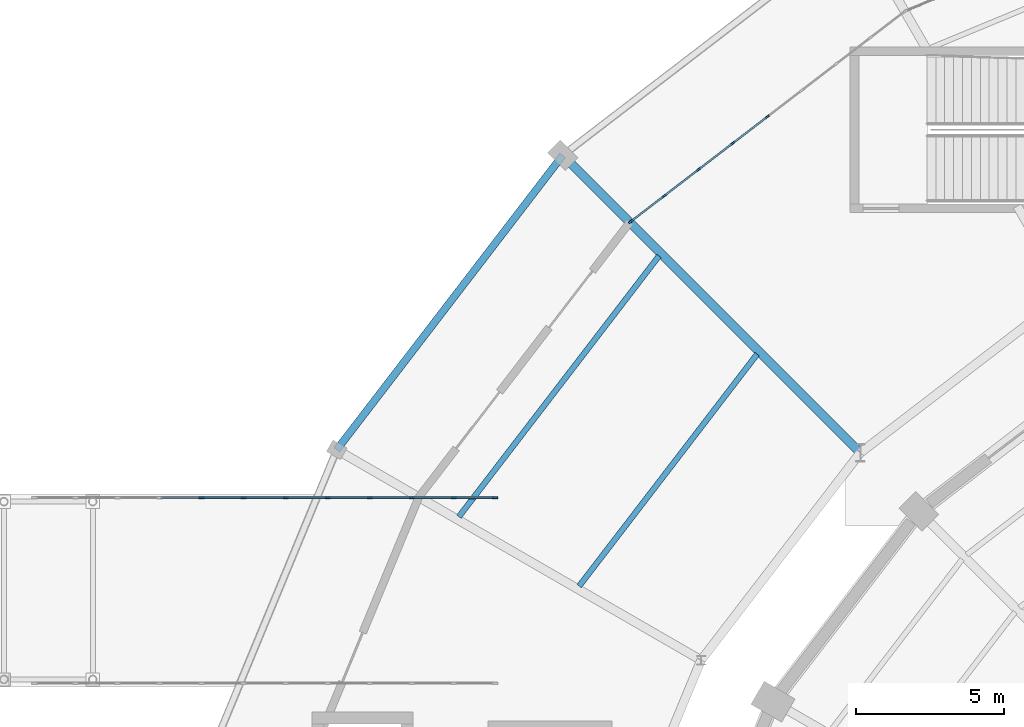
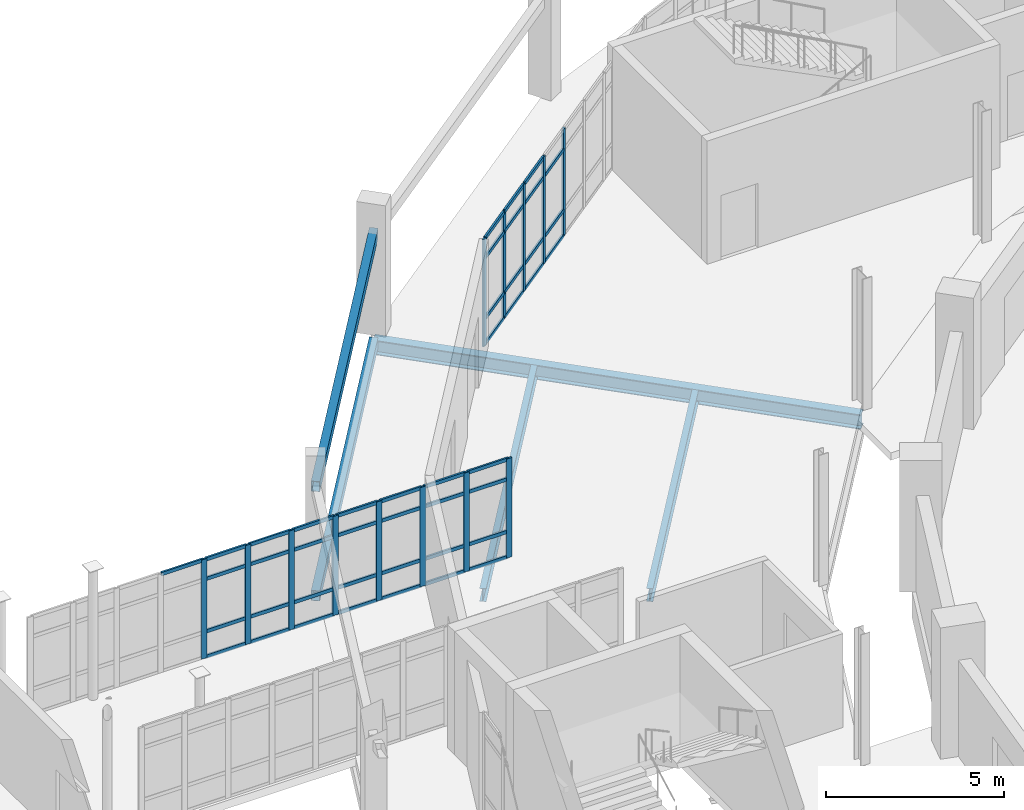
# One storey, part 52 of 122: 57 members, 5 beams, 2 elements without a shape of their own.
"""IFC4 building model written with IfcOpenShell, lengths in metres."""

import ifcopenshell
import ifcopenshell.guid

model = None  # the IFC model being written
_history = None  # IfcOwnerHistory: only IFC2X3 demands one
_inside = {}  # id of a spatial element -> (the spatial element, [elements in it])
_under = {}  # id of a project, library or spatial element -> (it, [spatial elements below it])
_declared = {}  # id of a project -> (the project, [libraries it declares])
_typed = {}  # id of a type object -> (the type object, [elements of that type])
_made_of = {}  # id of a material, layer set ... -> (it, [elements and type objects made of it])


def new_model(schema):
    """Start an empty IFC model of exactly this schema.

    Asked for "IFC4X3", IfcOpenShell would pick the latest addendum, in which some entities
    have other attributes; the version numbers below select the first issue.
    IFC2X3 requires an IfcOwnerHistory on every rooted entity: one is made here for all.
    """
    global model, _history
    if schema == "IFC4X3":
        model = ifcopenshell.file(schema_version=(4, 3, 0, 0))
    else:
        model = ifcopenshell.file(schema=schema)
    _inside.clear()
    _under.clear()
    _declared.clear()
    _typed.clear()
    _made_of.clear()
    _history = None
    if model.schema == "IFC2X3":
        org = make("IfcOrganization", Name="unknown")
        user = make(
            "IfcPersonAndOrganization",
            ThePerson=make("IfcPerson", FamilyName="unknown"),
            TheOrganization=org,
        )
        app = make(
            "IfcApplication",
            ApplicationDeveloper=org,
            Version="unknown",
            ApplicationFullName="unknown",
            ApplicationIdentifier="unknown",
        )
        _history = make(
            "IfcOwnerHistory",
            OwningUser=user,
            OwningApplication=app,
            ChangeAction="ADDED",
            CreationDate=0,
        )
    return model


def make(cls, **values):
    """One entity of the class cls with the attributes given. An attribute that is None is left unset."""
    return model.create_entity(
        cls, **{name: value for name, value in values.items() if value is not None}
    )


def rooted(cls, **values):
    """An entity with a GlobalId (a new one), such as an element, a storey or a relation."""
    return make(cls, GlobalId=ifcopenshell.guid.new(), OwnerHistory=_history, **values)


def si_unit(unit_type, name, prefix=None):
    """IfcSIUnit, for example si_unit("LENGTHUNIT", "METRE", prefix="MILLI")."""
    return make("IfcSIUnit", UnitType=unit_type, Prefix=prefix, Name=name)


def assignment(units):
    """IfcUnitAssignment: the units of a project."""
    return None if units is None else make("IfcUnitAssignment", Units=units)


def point(xyz):
    """IfcCartesianPoint."""
    return None if xyz is None else make("IfcCartesianPoint", Coordinates=xyz)


def direction(xyz):
    """IfcDirection."""
    return None if xyz is None else make("IfcDirection", DirectionRatios=xyz)


def frame(location, z_axis=None, x_axis=None):
    """IfcAxis2Placement3D, a coordinate frame: its origin and axes. An axis left out is left unset."""
    return make(
        "IfcAxis2Placement3D",
        Location=point(location),
        Axis=direction(z_axis),
        RefDirection=direction(x_axis),
    )


def frame_2d(location, x_axis=None):
    """IfcAxis2Placement2D, a coordinate frame in the plane: its origin and x axis."""
    return make(
        "IfcAxis2Placement2D", Location=point(location), RefDirection=direction(x_axis)
    )


def origin():
    """The frame at (0, 0, 0) with its axes left unset."""
    return frame((0.0, 0.0, 0.0))


def origin_2d():
    """The frame at (0, 0) in the plane with its x axis left unset."""
    return frame_2d((0.0, 0.0))


def place(relative_to, where):
    """IfcLocalPlacement: puts the frame where relative to a parent placement (None: the world)."""
    return make(
        "IfcLocalPlacement", PlacementRelTo=relative_to, RelativePlacement=where
    )


def context(
    kind, dimensions, precision=None, world=None, true_north=None, identifier=None
):
    """IfcGeometricRepresentationContext, for example the 3D "Model" context."""
    return make(
        "IfcGeometricRepresentationContext",
        ContextIdentifier=identifier,
        ContextType=kind,
        CoordinateSpaceDimension=dimensions,
        Precision=precision,
        WorldCoordinateSystem=world,
        TrueNorth=true_north,
    )


def subcontext(parent, identifier, kind, view, scale=None):
    """IfcGeometricRepresentationSubContext, for example "Body" below "Model"."""
    return make(
        "IfcGeometricRepresentationSubContext",
        ContextIdentifier=identifier,
        ContextType=kind,
        ParentContext=parent,
        TargetScale=scale,
        TargetView=view,
    )


def project(units=None, contexts=None):
    """IfcProject with its units and contexts."""
    return rooted(
        "IfcProject",
        Name="project",
        RepresentationContexts=contexts,
        UnitsInContext=assignment(units),
    )


def spatial(cls, under=None, at=None, **own):
    """A site, building, storey or space (cls), placed at a placement, below another one or the project."""
    s = rooted(cls, ObjectPlacement=at, **own)
    if under is not None:
        _under.setdefault(under.id(), (under, []))[1].append(s)
    return s


def profile(cls, at=None, kind="AREA", **sizes):
    """A parametric profile (cls). Its sizes go by their IFC names, for example OverallWidth=200.0."""
    return make(cls, ProfileType=kind, Position=at, **sizes)


def rectangle(**sizes):
    """IfcRectangleProfileDef."""
    return profile("IfcRectangleProfileDef", **sizes)


def hollow_rectangle(**sizes):
    """IfcRectangleHollowProfileDef."""
    return profile("IfcRectangleHollowProfileDef", **sizes)


def i_section(**sizes):
    """IfcIShapeProfileDef."""
    return profile("IfcIShapeProfileDef", **sizes)


def extrude(swept, where, along, depth):
    """IfcExtrudedAreaSolid: the profile swept, set in the frame where, extruded along a direction by depth."""
    return make(
        "IfcExtrudedAreaSolid",
        SweptArea=swept,
        Position=where,
        ExtrudedDirection=direction(along),
        Depth=depth,
    )


def shape(context_of_items, identifier, shape_type, items):
    """IfcShapeRepresentation: the items that make up one representation, for example the "Body"."""
    return make(
        "IfcShapeRepresentation",
        ContextOfItems=context_of_items,
        RepresentationIdentifier=identifier,
        RepresentationType=shape_type,
        Items=items,
    )


def material(Name=None, Category=None):
    """IfcMaterial."""
    return make("IfcMaterial", Name=Name, Category=Category)


def layer(
    of_material, thickness, ventilated=None, Name=None, Category=None, Priority=None
):
    """IfcMaterialLayer: one layer of a wall or slab, of a material (None: an air gap)."""
    return make(
        "IfcMaterialLayer",
        Material=of_material,
        LayerThickness=thickness,
        IsVentilated=ventilated,
        Name=Name,
        Category=Category,
        Priority=Priority,
    )


def layer_set(layers, Name=None):
    """IfcMaterialLayerSet."""
    return make("IfcMaterialLayerSet", MaterialLayers=layers, LayerSetName=Name)


def material_profile(
    of_material, cross_section, Name=None, Category=None, Priority=None
):
    """IfcMaterialProfile: a cross section and its material."""
    return make(
        "IfcMaterialProfile",
        Name=Name,
        Material=of_material,
        Profile=cross_section,
        Priority=Priority,
        Category=Category,
    )


def profile_set(profiles, Name=None, composite=None):
    """IfcMaterialProfileSet."""
    return make(
        "IfcMaterialProfileSet",
        Name=Name,
        MaterialProfiles=profiles,
        CompositeProfile=composite,
    )


def made_of(thing, what):
    """Note that an element or type object is made of a material, layer set ...; save() writes the relation."""
    if what is not None:
        _made_of.setdefault(what.id(), (what, []))[1].append(thing)
    return thing


def type_object(cls, material=None, **own):
    """A type object (cls), such as IfcWallType, which elements share."""
    return made_of(rooted(cls, **own), material)


def element(
    cls,
    number,
    at=None,
    inside=None,
    cuts=None,
    type_object=None,
    material=None,
    context=None,
    identifier="Body",
    shape_type=None,
    held_by="IfcProductDefinitionShape",
    body=None,
    shapes=None,
    **own,
):
    """One element of the class cls, such as IfcWall. Its Tag is "e" and its number.

    at: its placement. inside: the storey or other place that contains it. cuts: it is an
    opening in that element (IfcRelVoidsElement). A single representation is given by context,
    identifier, shape_type and body (its items); several are given by shapes. held_by: the class
    of the entity that holds the representations. save() writes the other relations.
    """
    e = rooted(cls, Tag="e%d" % number, ObjectPlacement=at, **own)
    if body is not None:
        shapes = [shape(context, identifier, shape_type, body)]
    if shapes is not None:
        e.Representation = make(held_by, Representations=shapes)
    if inside is not None:
        _inside.setdefault(inside.id(), (inside, []))[1].append(e)
    if cuts is not None:
        rooted(
            "IfcRelVoidsElement", RelatingBuildingElement=cuts, RelatedOpeningElement=e
        )
    if type_object is not None:
        _typed.setdefault(type_object.id(), (type_object, []))[1].append(e)
    return made_of(e, material)


def aggregate(whole, parts):
    """IfcRelAggregates: a whole, such as a stair, and the parts it consists of."""
    return rooted("IfcRelAggregates", RelatingObject=whole, RelatedObjects=parts)


def save(model, path):
    """Write the relations noted so far, then the file.

    IfcRelAggregates (storeys below a building ...), IfcRelContainedInSpatialStructure (elements
    in a storey), IfcRelDefinesByType, IfcRelAssociatesMaterial and IfcRelDeclares: one each for
    every whole, place, type object, material and project.
    """
    for whole, parts in _under.values():
        aggregate(whole, parts)
    for where, things in _inside.values():
        rooted(
            "IfcRelContainedInSpatialStructure",
            RelatedElements=things,
            RelatingStructure=where,
        )
    for kind, things in _typed.values():
        rooted("IfcRelDefinesByType", RelatedObjects=things, RelatingType=kind)
    for what, things in _made_of.values():
        rooted("IfcRelAssociatesMaterial", RelatedObjects=things, RelatingMaterial=what)
    for by, libraries in _declared.values():
        rooted("IfcRelDeclares", RelatingContext=by, RelatedDefinitions=libraries)
    model.write(path)


model = new_model("IFC4")

# Units and contexts
model_context = context("Model", 3, precision=1e-05, world=origin(), true_north=direction((0.0, 1.0)))
body_context = subcontext(model_context, "Body", "Model", "MODEL_VIEW")
ifc_project = project(units=[si_unit("LENGTHUNIT", "METRE"), si_unit("AREAUNIT", "SQUARE_METRE"), si_unit("VOLUMEUNIT", "CUBIC_METRE"), si_unit("PLANEANGLEUNIT", "RADIAN"), si_unit("MASSUNIT", "GRAM", prefix="KILO")], contexts=[model_context])

# Site, building, storey
site_placement = place(None, origin())
site = spatial("IfcSite", under=ifc_project, at=site_placement, CompositionType="ELEMENT")
building_placement = place(site_placement, origin())
building = spatial("IfcBuilding", under=site, at=building_placement, Name="Sohan Crest Arena", CompositionType="ELEMENT")
storey_placement = place(building_placement, origin())
storey = spatial("IfcBuildingStorey", under=building, at=storey_placement, Name="L00", CompositionType="ELEMENT", Elevation=0.0)

# Curtain wall, members
ifc_material_1 = material(Name="Thermally broken anodised aluminium", Category="aluminium")
ifc_layer_1 = layer(ifc_material_1, 0.179931640625, Name="Thermally broken anodised aluminium")
ifc_layer_set_1 = layer_set([ifc_layer_1], Name="Thermally broken anodised aluminium")
curtain_wall_type_1 = type_object("IfcCurtainWallType", Name="ARC-CW01", PredefinedType="NOTDEFINED", material=ifc_layer_set_1)
curtain_wall_1_placement = place(storey_placement, origin())
curtain_wall_1 = element("IfcCurtainWall", 1, at=curtain_wall_1_placement, inside=storey, type_object=curtain_wall_type_1, Name="Unitised curtain wall CW-003", PredefinedType="NOTDEFINED")
ifc_material_profile_1 = material_profile(ifc_material_1, rectangle(XDim=0.06005859375, YDim=0.159912109375, at=origin_2d()), Name="ALU-MULL 60x160")
ifc_profile_set_1 = profile_set([ifc_material_profile_1], Name="Thermally broken anodised aluminium")
member_type_1 = type_object("IfcMemberType", Name="ARC-CW-ML01", PredefinedType="MULLION", material=ifc_profile_set_1)
member_1_placement = place(storey_placement, frame((70.9609375, 113.238037109375, 0.0), z_axis=(0.0, 0.0, 1.0), x_axis=(0.608801264741, -0.79332277167, 0.0)))
member_1 = element("IfcMember", 2, at=member_1_placement, type_object=member_type_1, Name="CW-003 mullion 5", PredefinedType="MULLION", context=body_context, shape_type="SweptSolid", body=[
    extrude(rectangle(XDim=0.06005859375, YDim=0.159912109375, at=origin_2d()), origin(), (0.0, 0.0, 1.0), 3.679931640625),
])
member_2_placement = place(storey_placement, frame((69.80126953125, 112.347900390625, 0.0), z_axis=(0.0, 0.0, 1.0), x_axis=(0.608801264741, -0.79332277167, 0.0)))
member_2 = element("IfcMember", 3, at=member_2_placement, type_object=member_type_1, Name="CW-003 mullion 6", PredefinedType="MULLION", context=body_context, shape_type="SweptSolid", body=[
    extrude(rectangle(XDim=0.06005859375, YDim=0.159912109375, at=origin_2d()), origin(), (0.0, 0.0, 1.0), 3.679931640625),
])
member_3_placement = place(storey_placement, frame((68.6416015625, 111.4580078125, 0.0), z_axis=(0.0, 0.0, 1.0), x_axis=(0.608801264741, -0.79332277167, 0.0)))
member_3 = element("IfcMember", 4, at=member_3_placement, type_object=member_type_1, Name="CW-003 mullion 7", PredefinedType="MULLION", context=body_context, shape_type="SweptSolid", body=[
    extrude(rectangle(XDim=0.06005859375, YDim=0.159912109375, at=origin_2d()), origin(), (0.0, 0.0, 1.0), 3.679931640625),
])
member_4_placement = place(storey_placement, frame((67.481689453125, 110.568115234375, 0.0), z_axis=(0.0, 0.0, 1.0), x_axis=(0.608801264741, -0.79332277167, 0.0)))
member_4 = element("IfcMember", 5, at=member_4_placement, type_object=member_type_1, Name="CW-003 mullion 8", PredefinedType="MULLION", context=body_context, shape_type="SweptSolid", body=[
    extrude(rectangle(XDim=0.06005859375, YDim=0.159912109375, at=origin_2d()), origin(), (0.0, 0.0, 1.0), 3.679931640625),
])
member_5_placement = place(storey_placement, frame((66.345703125, 109.6962890625, 0.0), z_axis=(0.0, 0.0, 1.0), x_axis=(0.608801264741, -0.79332277167, 0.0)))
member_5 = element("IfcMember", 6, at=member_5_placement, type_object=member_type_1, Name="CW-003 mullion 9", PredefinedType="MULLION", context=body_context, shape_type="SweptSolid", body=[
    extrude(rectangle(XDim=0.06005859375, YDim=0.159912109375, at=origin_2d()), origin(), (0.0, 0.0, 1.0), 3.679931640625),
])

ifc_layer_2 = layer(ifc_material_1, 0.18994140625, Name="Thermally broken anodised aluminium")
ifc_layer_set_2 = layer_set([ifc_layer_2], Name="Thermally broken anodised aluminium")
curtain_wall_type_2 = type_object("IfcCurtainWallType", Name="ARC-CW05", PredefinedType="NOTDEFINED", material=ifc_layer_set_2)
curtain_wall_2_placement = place(storey_placement, origin())
curtain_wall_2 = element("IfcCurtainWall", 7, at=curtain_wall_2_placement, inside=storey, type_object=curtain_wall_type_2, Name="Unitised curtain wall CW-232", PredefinedType="NOTDEFINED")
ifc_material_profile_2 = material_profile(ifc_material_1, rectangle(XDim=0.06494140625, YDim=0.179931640625, at=origin_2d()), Name="ALU-MULL 65x180")
ifc_profile_set_2 = profile_set([ifc_material_profile_2], Name="Thermally broken anodised aluminium")
member_type_2 = type_object("IfcMemberType", Name="ARC-CW-ML02", PredefinedType="MULLION", material=ifc_profile_set_2)
member_6_placement = place(storey_placement, frame((51.872802734375, 100.3798828125, 0.0), z_axis=(0.0, 0.0, 1.0), x_axis=(0.0, 1.0, 0.0)))
member_6 = element("IfcMember", 8, at=member_6_placement, type_object=member_type_2, Name="CW-232 mullion 5", PredefinedType="MULLION", context=body_context, shape_type="SweptSolid", body=[
    extrude(rectangle(XDim=0.06494140625, YDim=0.179931640625, at=origin_2d()), origin(), (0.0, 0.0, 1.0), 3.39990234375),
])
member_7_placement = place(storey_placement, frame((53.291015625, 100.3798828125, 0.0), z_axis=(0.0, 0.0, 1.0), x_axis=(0.0, 1.0, 0.0)))
member_7 = element("IfcMember", 9, at=member_7_placement, type_object=member_type_2, Name="CW-232 mullion 6", PredefinedType="MULLION", context=body_context, shape_type="SweptSolid", body=[
    extrude(rectangle(XDim=0.06494140625, YDim=0.179931640625, at=origin_2d()), origin(), (0.0, 0.0, 1.0), 3.39990234375),
])
member_8_placement = place(storey_placement, frame((54.708984375, 100.3798828125, 0.0), z_axis=(0.0, 0.0, 1.0), x_axis=(0.0, 1.0, 0.0)))
member_8 = element("IfcMember", 10, at=member_8_placement, type_object=member_type_2, Name="CW-232 mullion 7", PredefinedType="MULLION", context=body_context, shape_type="SweptSolid", body=[
    extrude(rectangle(XDim=0.06494140625, YDim=0.179931640625, at=origin_2d()), origin(), (0.0, 0.0, 1.0), 3.39990234375),
])
member_9_placement = place(storey_placement, frame((56.127197265625, 100.3798828125, 0.0), z_axis=(0.0, 0.0, 1.0), x_axis=(0.0, 1.0, 0.0)))
member_9 = element("IfcMember", 11, at=member_9_placement, type_object=member_type_2, Name="CW-232 mullion 8", PredefinedType="MULLION", context=body_context, shape_type="SweptSolid", body=[
    extrude(rectangle(XDim=0.06494140625, YDim=0.179931640625, at=origin_2d()), origin(), (0.0, 0.0, 1.0), 3.39990234375),
])
member_10_placement = place(storey_placement, frame((57.54541015625, 100.3798828125, 0.0), z_axis=(0.0, 0.0, 1.0), x_axis=(0.0, 1.0, 0.0)))
member_10 = element("IfcMember", 12, at=member_10_placement, type_object=member_type_2, Name="CW-232 mullion 9", PredefinedType="MULLION", context=body_context, shape_type="SweptSolid", body=[
    extrude(rectangle(XDim=0.06494140625, YDim=0.179931640625, at=origin_2d()), origin(), (0.0, 0.0, 1.0), 3.39990234375),
])
member_11_placement = place(storey_placement, frame((58.963623046875, 100.3798828125, 0.0), z_axis=(0.0, 0.0, 1.0), x_axis=(0.0, 1.0, 0.0)))
member_11 = element("IfcMember", 13, at=member_11_placement, type_object=member_type_2, Name="CW-232 mullion 10", PredefinedType="MULLION", context=body_context, shape_type="SweptSolid", body=[
    extrude(rectangle(XDim=0.06494140625, YDim=0.179931640625, at=origin_2d()), origin(), (0.0, 0.0, 1.0), 3.39990234375),
])
member_12_placement = place(storey_placement, frame((60.3818359375, 100.3798828125, 0.0), z_axis=(0.0, 0.0, 1.0), x_axis=(0.0, 1.0, 0.0)))
member_12 = element("IfcMember", 14, at=member_12_placement, type_object=member_type_2, Name="CW-232 mullion 11", PredefinedType="MULLION", context=body_context, shape_type="SweptSolid", body=[
    extrude(rectangle(XDim=0.06494140625, YDim=0.179931640625, at=origin_2d()), origin(), (0.0, 0.0, 1.0), 3.39990234375),
])
member_13_placement = place(storey_placement, frame((61.767578125, 100.3798828125, 0.0), z_axis=(0.0, 0.0, 1.0), x_axis=(0.0, 1.0, 0.0)))
member_13 = element("IfcMember", 15, at=member_13_placement, type_object=member_type_2, Name="CW-232 mullion 12", PredefinedType="MULLION", context=body_context, shape_type="SweptSolid", body=[
    extrude(rectangle(XDim=0.06494140625, YDim=0.179931640625, at=origin_2d()), origin(), (0.0, 0.0, 1.0), 3.39990234375),
])

# Member
ifc_material_profile_3 = material_profile(ifc_material_1, rectangle(XDim=0.06005859375, YDim=0.1201171875, at=origin_2d()), Name="ALU-TRAN 60x120")
ifc_profile_set_3 = profile_set([ifc_material_profile_3], Name="Thermally broken anodised aluminium")
member_type_3 = type_object("IfcMemberType", Name="ARC-CW-TR01", PredefinedType="USERDEFINED", material=ifc_profile_set_3)
member_14_placement = place(storey_placement, frame((70.937255859375, 113.2197265625, 0.030029296875), z_axis=(-0.793348442071, -0.608767812441, 0.0), x_axis=(0.608767812441, -0.793348442071, 0.0)))
member_14 = element("IfcMember", 16, at=member_14_placement, type_object=member_type_3, Name="CW-003 transom 5.1", ObjectType="TRANSOM", PredefinedType="USERDEFINED", context=body_context, shape_type="SweptSolid", body=[
    extrude(rectangle(XDim=0.06005859375, YDim=0.1201171875, at=origin_2d()), origin(), (0.0, 0.0, 1.0), 1.402099609375),
])

member_15_placement = place(storey_placement, frame((70.937255859375, 113.2197265625, 0.89990234375), z_axis=(-0.793348442071, -0.608767812441, 0.0), x_axis=(0.608767812441, -0.793348442071, 0.0)))
member_15 = element("IfcMember", 17, at=member_15_placement, type_object=member_type_3, Name="CW-003 transom 5.2", ObjectType="TRANSOM", PredefinedType="USERDEFINED", context=body_context, shape_type="SweptSolid", body=[
    extrude(rectangle(XDim=0.06005859375, YDim=0.1201171875, at=origin_2d()), origin(), (0.0, 0.0, 1.0), 1.402099609375),
])

member_16_placement = place(storey_placement, frame((70.937255859375, 113.2197265625, 2.97998046875), z_axis=(-0.793348442071, -0.608767812441, 0.0), x_axis=(0.608767812441, -0.793348442071, 0.0)))
member_16 = element("IfcMember", 18, at=member_16_placement, type_object=member_type_3, Name="CW-003 transom 5.3", ObjectType="TRANSOM", PredefinedType="USERDEFINED", context=body_context, shape_type="SweptSolid", body=[
    extrude(rectangle(XDim=0.06005859375, YDim=0.1201171875, at=origin_2d()), origin(), (0.0, 0.0, 1.0), 1.402099609375),
])

member_17_placement = place(storey_placement, frame((69.77734375, 112.329833984375, 0.030029296875), z_axis=(-0.793283895434, -0.608851920623, 0.0), x_axis=(0.608851920623, -0.793283895434, 0.0)))
member_17 = element("IfcMember", 19, at=member_17_placement, type_object=member_type_3, Name="CW-003 transom 6.1", ObjectType="TRANSOM", PredefinedType="USERDEFINED", context=body_context, shape_type="SweptSolid", body=[
    extrude(rectangle(XDim=0.06005859375, YDim=0.1201171875, at=origin_2d()), origin(), (0.0, 0.0, 1.0), 1.40185546875),
])

member_18_placement = place(storey_placement, frame((69.77734375, 112.329833984375, 0.89990234375), z_axis=(-0.793283895434, -0.608851920623, 0.0), x_axis=(0.608851920623, -0.793283895434, 0.0)))
member_18 = element("IfcMember", 20, at=member_18_placement, type_object=member_type_3, Name="CW-003 transom 6.2", ObjectType="TRANSOM", PredefinedType="USERDEFINED", context=body_context, shape_type="SweptSolid", body=[
    extrude(rectangle(XDim=0.06005859375, YDim=0.1201171875, at=origin_2d()), origin(), (0.0, 0.0, 1.0), 1.40185546875),
])

member_19_placement = place(storey_placement, frame((69.77734375, 112.329833984375, 2.97998046875), z_axis=(-0.793283895434, -0.608851920623, 0.0), x_axis=(0.608851920623, -0.793283895434, 0.0)))
member_19 = element("IfcMember", 21, at=member_19_placement, type_object=member_type_3, Name="CW-003 transom 6.3", ObjectType="TRANSOM", PredefinedType="USERDEFINED", context=body_context, shape_type="SweptSolid", body=[
    extrude(rectangle(XDim=0.06005859375, YDim=0.1201171875, at=origin_2d()), origin(), (0.0, 0.0, 1.0), 1.40185546875),
])

member_20_placement = place(storey_placement, frame((69.77734375, 112.329833984375, 3.64990234375), z_axis=(-0.793283895434, -0.608851920623, 0.0), x_axis=(0.608851920623, -0.793283895434, 0.0)))
member_20 = element("IfcMember", 22, at=member_20_placement, type_object=member_type_3, Name="CW-003 transom 6.4", ObjectType="TRANSOM", PredefinedType="USERDEFINED", context=body_context, shape_type="SweptSolid", body=[
    extrude(rectangle(XDim=0.06005859375, YDim=0.1201171875, at=origin_2d()), origin(), (0.0, 0.0, 1.0), 1.40185546875),
])

member_21_placement = place(storey_placement, frame((68.61767578125, 111.439697265625, 0.030029296875), z_axis=(-0.793283895434, -0.608851920623, 0.0), x_axis=(0.608851920623, -0.793283895434, 0.0)))
member_21 = element("IfcMember", 23, at=member_21_placement, type_object=member_type_3, Name="CW-003 transom 7.1", ObjectType="TRANSOM", PredefinedType="USERDEFINED", context=body_context, shape_type="SweptSolid", body=[
    extrude(rectangle(XDim=0.06005859375, YDim=0.1201171875, at=origin_2d()), origin(), (0.0, 0.0, 1.0), 1.40185546875),
])

member_22_placement = place(storey_placement, frame((68.61767578125, 111.439697265625, 0.89990234375), z_axis=(-0.793283895434, -0.608851920623, 0.0), x_axis=(0.608851920623, -0.793283895434, 0.0)))
member_22 = element("IfcMember", 24, at=member_22_placement, type_object=member_type_3, Name="CW-003 transom 7.2", ObjectType="TRANSOM", PredefinedType="USERDEFINED", context=body_context, shape_type="SweptSolid", body=[
    extrude(rectangle(XDim=0.06005859375, YDim=0.1201171875, at=origin_2d()), origin(), (0.0, 0.0, 1.0), 1.40185546875),
])

member_23_placement = place(storey_placement, frame((68.61767578125, 111.439697265625, 2.97998046875), z_axis=(-0.793283895434, -0.608851920623, 0.0), x_axis=(0.608851920623, -0.793283895434, 0.0)))
member_23 = element("IfcMember", 25, at=member_23_placement, type_object=member_type_3, Name="CW-003 transom 7.3", ObjectType="TRANSOM", PredefinedType="USERDEFINED", context=body_context, shape_type="SweptSolid", body=[
    extrude(rectangle(XDim=0.06005859375, YDim=0.1201171875, at=origin_2d()), origin(), (0.0, 0.0, 1.0), 1.40185546875),
])

member_24_placement = place(storey_placement, frame((68.61767578125, 111.439697265625, 3.64990234375), z_axis=(-0.793283895434, -0.608851920623, 0.0), x_axis=(0.608851920623, -0.793283895434, 0.0)))
member_24 = element("IfcMember", 26, at=member_24_placement, type_object=member_type_3, Name="CW-003 transom 7.4", ObjectType="TRANSOM", PredefinedType="USERDEFINED", context=body_context, shape_type="SweptSolid", body=[
    extrude(rectangle(XDim=0.06005859375, YDim=0.1201171875, at=origin_2d()), origin(), (0.0, 0.0, 1.0), 1.40185546875),
])

member_25_placement = place(storey_placement, frame((67.4580078125, 110.5498046875, 0.030029296875), z_axis=(-0.793331312745, -0.608790134791, 0.0), x_axis=(0.608790134791, -0.793331312745, 0.0)))
member_25 = element("IfcMember", 27, at=member_25_placement, type_object=member_type_3, Name="CW-003 transom 8.1", ObjectType="TRANSOM", PredefinedType="USERDEFINED", context=body_context, shape_type="SweptSolid", body=[
    extrude(rectangle(XDim=0.06005859375, YDim=0.1201171875, at=origin_2d()), origin(), (0.0, 0.0, 1.0), 1.371826171875),
])

member_26_placement = place(storey_placement, frame((67.4580078125, 110.5498046875, 0.89990234375), z_axis=(-0.793331312745, -0.608790134791, 0.0), x_axis=(0.608790134791, -0.793331312745, 0.0)))
member_26 = element("IfcMember", 28, at=member_26_placement, type_object=member_type_3, Name="CW-003 transom 8.2", ObjectType="TRANSOM", PredefinedType="USERDEFINED", context=body_context, shape_type="SweptSolid", body=[
    extrude(rectangle(XDim=0.06005859375, YDim=0.1201171875, at=origin_2d()), origin(), (0.0, 0.0, 1.0), 1.371826171875),
])

member_27_placement = place(storey_placement, frame((67.4580078125, 110.5498046875, 2.97998046875), z_axis=(-0.793331312745, -0.608790134791, 0.0), x_axis=(0.608790134791, -0.793331312745, 0.0)))
member_27 = element("IfcMember", 29, at=member_27_placement, type_object=member_type_3, Name="CW-003 transom 8.3", ObjectType="TRANSOM", PredefinedType="USERDEFINED", context=body_context, shape_type="SweptSolid", body=[
    extrude(rectangle(XDim=0.06005859375, YDim=0.1201171875, at=origin_2d()), origin(), (0.0, 0.0, 1.0), 1.371826171875),
])

member_28_placement = place(storey_placement, frame((67.4580078125, 110.5498046875, 3.64990234375), z_axis=(-0.793331312745, -0.608790134791, 0.0), x_axis=(0.608790134791, -0.793331312745, 0.0)))
member_28 = element("IfcMember", 30, at=member_28_placement, type_object=member_type_3, Name="CW-003 transom 8.4", ObjectType="TRANSOM", PredefinedType="USERDEFINED", context=body_context, shape_type="SweptSolid", body=[
    extrude(rectangle(XDim=0.06005859375, YDim=0.1201171875, at=origin_2d()), origin(), (0.0, 0.0, 1.0), 1.371826171875),
])

aggregate(curtain_wall_1, [member_1, member_2, member_3, member_4, member_5, member_14, member_15, member_16, member_17, member_18, member_19, member_20, member_21, member_22, member_23, member_24, member_25, member_26, member_27, member_28])

member_29_placement = place(storey_placement, frame((50.487060546875, 100.3798828125, 3.3701171875), z_axis=(1.0, 0.0, 0.0), x_axis=(0.0, 1.0, 0.0)))
member_29 = element("IfcMember", 31, at=member_29_placement, type_object=member_type_3, Name="CW-232 transom 4.4", ObjectType="TRANSOM", PredefinedType="USERDEFINED", context=body_context, shape_type="SweptSolid", body=[
    extrude(rectangle(XDim=0.06005859375, YDim=0.1201171875, at=origin_2d()), origin(), (0.0, 0.0, 1.0), 1.353271484375),
])

member_30_placement = place(storey_placement, frame((51.9052734375, 100.3798828125, 0.030029296875), z_axis=(1.0, 0.0, 0.0), x_axis=(0.0, 1.0, 0.0)))
member_30 = element("IfcMember", 32, at=member_30_placement, type_object=member_type_3, Name="CW-232 transom 5.1", ObjectType="TRANSOM", PredefinedType="USERDEFINED", context=body_context, shape_type="SweptSolid", body=[
    extrude(rectangle(XDim=0.06005859375, YDim=0.1201171875, at=origin_2d()), origin(), (0.0, 0.0, 1.0), 1.35302734375),
])

member_31_placement = place(storey_placement, frame((51.9052734375, 100.3798828125, 0.89990234375), z_axis=(1.0, 0.0, 0.0), x_axis=(0.0, 1.0, 0.0)))
member_31 = element("IfcMember", 33, at=member_31_placement, type_object=member_type_3, Name="CW-232 transom 5.2", ObjectType="TRANSOM", PredefinedType="USERDEFINED", context=body_context, shape_type="SweptSolid", body=[
    extrude(rectangle(XDim=0.06005859375, YDim=0.1201171875, at=origin_2d()), origin(), (0.0, 0.0, 1.0), 1.35302734375),
])

member_32_placement = place(storey_placement, frame((51.9052734375, 100.3798828125, 2.699951171875), z_axis=(1.0, 0.0, 0.0), x_axis=(0.0, 1.0, 0.0)))
member_32 = element("IfcMember", 34, at=member_32_placement, type_object=member_type_3, Name="CW-232 transom 5.3", ObjectType="TRANSOM", PredefinedType="USERDEFINED", context=body_context, shape_type="SweptSolid", body=[
    extrude(rectangle(XDim=0.06005859375, YDim=0.1201171875, at=origin_2d()), origin(), (0.0, 0.0, 1.0), 1.35302734375),
])

member_33_placement = place(storey_placement, frame((51.9052734375, 100.3798828125, 3.3701171875), z_axis=(1.0, 0.0, 0.0), x_axis=(0.0, 1.0, 0.0)))
member_33 = element("IfcMember", 35, at=member_33_placement, type_object=member_type_3, Name="CW-232 transom 5.4", ObjectType="TRANSOM", PredefinedType="USERDEFINED", context=body_context, shape_type="SweptSolid", body=[
    extrude(rectangle(XDim=0.06005859375, YDim=0.1201171875, at=origin_2d()), origin(), (0.0, 0.0, 1.0), 1.35302734375),
])

member_34_placement = place(storey_placement, frame((53.323486328125, 100.3798828125, 0.030029296875), z_axis=(1.0, 0.0, 0.0), x_axis=(0.0, 1.0, 0.0)))
member_34 = element("IfcMember", 36, at=member_34_placement, type_object=member_type_3, Name="CW-232 transom 6.1", ObjectType="TRANSOM", PredefinedType="USERDEFINED", context=body_context, shape_type="SweptSolid", body=[
    extrude(rectangle(XDim=0.06005859375, YDim=0.1201171875, at=origin_2d()), origin(), (0.0, 0.0, 1.0), 1.35302734375),
])

member_35_placement = place(storey_placement, frame((53.323486328125, 100.3798828125, 0.89990234375), z_axis=(1.0, 0.0, 0.0), x_axis=(0.0, 1.0, 0.0)))
member_35 = element("IfcMember", 37, at=member_35_placement, type_object=member_type_3, Name="CW-232 transom 6.2", ObjectType="TRANSOM", PredefinedType="USERDEFINED", context=body_context, shape_type="SweptSolid", body=[
    extrude(rectangle(XDim=0.06005859375, YDim=0.1201171875, at=origin_2d()), origin(), (0.0, 0.0, 1.0), 1.35302734375),
])

member_36_placement = place(storey_placement, frame((53.323486328125, 100.3798828125, 2.699951171875), z_axis=(1.0, 0.0, 0.0), x_axis=(0.0, 1.0, 0.0)))
member_36 = element("IfcMember", 38, at=member_36_placement, type_object=member_type_3, Name="CW-232 transom 6.3", ObjectType="TRANSOM", PredefinedType="USERDEFINED", context=body_context, shape_type="SweptSolid", body=[
    extrude(rectangle(XDim=0.06005859375, YDim=0.1201171875, at=origin_2d()), origin(), (0.0, 0.0, 1.0), 1.35302734375),
])

member_37_placement = place(storey_placement, frame((53.323486328125, 100.3798828125, 3.3701171875), z_axis=(1.0, 0.0, 0.0), x_axis=(0.0, 1.0, 0.0)))
member_37 = element("IfcMember", 39, at=member_37_placement, type_object=member_type_3, Name="CW-232 transom 6.4", ObjectType="TRANSOM", PredefinedType="USERDEFINED", context=body_context, shape_type="SweptSolid", body=[
    extrude(rectangle(XDim=0.06005859375, YDim=0.1201171875, at=origin_2d()), origin(), (0.0, 0.0, 1.0), 1.35302734375),
])

member_38_placement = place(storey_placement, frame((54.74169921875, 100.3798828125, 0.030029296875), z_axis=(1.0, 0.0, 0.0), x_axis=(0.0, 1.0, 0.0)))
member_38 = element("IfcMember", 40, at=member_38_placement, type_object=member_type_3, Name="CW-232 transom 7.1", ObjectType="TRANSOM", PredefinedType="USERDEFINED", context=body_context, shape_type="SweptSolid", body=[
    extrude(rectangle(XDim=0.06005859375, YDim=0.1201171875, at=origin_2d()), origin(), (0.0, 0.0, 1.0), 1.35302734375),
])

member_39_placement = place(storey_placement, frame((54.74169921875, 100.3798828125, 0.89990234375), z_axis=(1.0, 0.0, 0.0), x_axis=(0.0, 1.0, 0.0)))
member_39 = element("IfcMember", 41, at=member_39_placement, type_object=member_type_3, Name="CW-232 transom 7.2", ObjectType="TRANSOM", PredefinedType="USERDEFINED", context=body_context, shape_type="SweptSolid", body=[
    extrude(rectangle(XDim=0.06005859375, YDim=0.1201171875, at=origin_2d()), origin(), (0.0, 0.0, 1.0), 1.35302734375),
])

member_40_placement = place(storey_placement, frame((54.74169921875, 100.3798828125, 2.699951171875), z_axis=(1.0, 0.0, 0.0), x_axis=(0.0, 1.0, 0.0)))
member_40 = element("IfcMember", 42, at=member_40_placement, type_object=member_type_3, Name="CW-232 transom 7.3", ObjectType="TRANSOM", PredefinedType="USERDEFINED", context=body_context, shape_type="SweptSolid", body=[
    extrude(rectangle(XDim=0.06005859375, YDim=0.1201171875, at=origin_2d()), origin(), (0.0, 0.0, 1.0), 1.35302734375),
])

member_41_placement = place(storey_placement, frame((54.74169921875, 100.3798828125, 3.3701171875), z_axis=(1.0, 0.0, 0.0), x_axis=(0.0, 1.0, 0.0)))
member_41 = element("IfcMember", 43, at=member_41_placement, type_object=member_type_3, Name="CW-232 transom 7.4", ObjectType="TRANSOM", PredefinedType="USERDEFINED", context=body_context, shape_type="SweptSolid", body=[
    extrude(rectangle(XDim=0.06005859375, YDim=0.1201171875, at=origin_2d()), origin(), (0.0, 0.0, 1.0), 1.35302734375),
])

member_42_placement = place(storey_placement, frame((56.15966796875, 100.3798828125, 0.030029296875), z_axis=(1.0, 0.0, 0.0), x_axis=(0.0, 1.0, 0.0)))
member_42 = element("IfcMember", 44, at=member_42_placement, type_object=member_type_3, Name="CW-232 transom 8.1", ObjectType="TRANSOM", PredefinedType="USERDEFINED", context=body_context, shape_type="SweptSolid", body=[
    extrude(rectangle(XDim=0.06005859375, YDim=0.1201171875, at=origin_2d()), origin(), (0.0, 0.0, 1.0), 1.353271484375),
])

member_43_placement = place(storey_placement, frame((56.15966796875, 100.3798828125, 0.89990234375), z_axis=(1.0, 0.0, 0.0), x_axis=(0.0, 1.0, 0.0)))
member_43 = element("IfcMember", 45, at=member_43_placement, type_object=member_type_3, Name="CW-232 transom 8.2", ObjectType="TRANSOM", PredefinedType="USERDEFINED", context=body_context, shape_type="SweptSolid", body=[
    extrude(rectangle(XDim=0.06005859375, YDim=0.1201171875, at=origin_2d()), origin(), (0.0, 0.0, 1.0), 1.353271484375),
])

member_44_placement = place(storey_placement, frame((56.15966796875, 100.3798828125, 2.699951171875), z_axis=(1.0, 0.0, 0.0), x_axis=(0.0, 1.0, 0.0)))
member_44 = element("IfcMember", 46, at=member_44_placement, type_object=member_type_3, Name="CW-232 transom 8.3", ObjectType="TRANSOM", PredefinedType="USERDEFINED", context=body_context, shape_type="SweptSolid", body=[
    extrude(rectangle(XDim=0.06005859375, YDim=0.1201171875, at=origin_2d()), origin(), (0.0, 0.0, 1.0), 1.353271484375),
])

member_45_placement = place(storey_placement, frame((56.15966796875, 100.3798828125, 3.3701171875), z_axis=(1.0, 0.0, 0.0), x_axis=(0.0, 1.0, 0.0)))
member_45 = element("IfcMember", 47, at=member_45_placement, type_object=member_type_3, Name="CW-232 transom 8.4", ObjectType="TRANSOM", PredefinedType="USERDEFINED", context=body_context, shape_type="SweptSolid", body=[
    extrude(rectangle(XDim=0.06005859375, YDim=0.1201171875, at=origin_2d()), origin(), (0.0, 0.0, 1.0), 1.353271484375),
])

member_46_placement = place(storey_placement, frame((57.577880859375, 100.3798828125, 0.030029296875), z_axis=(1.0, 0.0, 0.0), x_axis=(0.0, 1.0, 0.0)))
member_46 = element("IfcMember", 48, at=member_46_placement, type_object=member_type_3, Name="CW-232 transom 9.1", ObjectType="TRANSOM", PredefinedType="USERDEFINED", context=body_context, shape_type="SweptSolid", body=[
    extrude(rectangle(XDim=0.06005859375, YDim=0.1201171875, at=origin_2d()), origin(), (0.0, 0.0, 1.0), 1.353271484375),
])

member_47_placement = place(storey_placement, frame((57.577880859375, 100.3798828125, 0.89990234375), z_axis=(1.0, 0.0, 0.0), x_axis=(0.0, 1.0, 0.0)))
member_47 = element("IfcMember", 49, at=member_47_placement, type_object=member_type_3, Name="CW-232 transom 9.2", ObjectType="TRANSOM", PredefinedType="USERDEFINED", context=body_context, shape_type="SweptSolid", body=[
    extrude(rectangle(XDim=0.06005859375, YDim=0.1201171875, at=origin_2d()), origin(), (0.0, 0.0, 1.0), 1.353271484375),
])

member_48_placement = place(storey_placement, frame((57.577880859375, 100.3798828125, 2.699951171875), z_axis=(1.0, 0.0, 0.0), x_axis=(0.0, 1.0, 0.0)))
member_48 = element("IfcMember", 50, at=member_48_placement, type_object=member_type_3, Name="CW-232 transom 9.3", ObjectType="TRANSOM", PredefinedType="USERDEFINED", context=body_context, shape_type="SweptSolid", body=[
    extrude(rectangle(XDim=0.06005859375, YDim=0.1201171875, at=origin_2d()), origin(), (0.0, 0.0, 1.0), 1.353271484375),
])

member_49_placement = place(storey_placement, frame((57.577880859375, 100.3798828125, 3.3701171875), z_axis=(1.0, 0.0, 0.0), x_axis=(0.0, 1.0, 0.0)))
member_49 = element("IfcMember", 51, at=member_49_placement, type_object=member_type_3, Name="CW-232 transom 9.4", ObjectType="TRANSOM", PredefinedType="USERDEFINED", context=body_context, shape_type="SweptSolid", body=[
    extrude(rectangle(XDim=0.06005859375, YDim=0.1201171875, at=origin_2d()), origin(), (0.0, 0.0, 1.0), 1.353271484375),
])

member_50_placement = place(storey_placement, frame((58.99609375, 100.3798828125, 0.030029296875), z_axis=(1.0, 0.0, 0.0), x_axis=(0.0, 1.0, 0.0)))
member_50 = element("IfcMember", 52, at=member_50_placement, type_object=member_type_3, Name="CW-232 transom 10.1", ObjectType="TRANSOM", PredefinedType="USERDEFINED", context=body_context, shape_type="SweptSolid", body=[
    extrude(rectangle(XDim=0.06005859375, YDim=0.1201171875, at=origin_2d()), origin(), (0.0, 0.0, 1.0), 1.353271484375),
])

member_51_placement = place(storey_placement, frame((58.99609375, 100.3798828125, 0.89990234375), z_axis=(1.0, 0.0, 0.0), x_axis=(0.0, 1.0, 0.0)))
member_51 = element("IfcMember", 53, at=member_51_placement, type_object=member_type_3, Name="CW-232 transom 10.2", ObjectType="TRANSOM", PredefinedType="USERDEFINED", context=body_context, shape_type="SweptSolid", body=[
    extrude(rectangle(XDim=0.06005859375, YDim=0.1201171875, at=origin_2d()), origin(), (0.0, 0.0, 1.0), 1.353271484375),
])

member_52_placement = place(storey_placement, frame((58.99609375, 100.3798828125, 2.699951171875), z_axis=(1.0, 0.0, 0.0), x_axis=(0.0, 1.0, 0.0)))
member_52 = element("IfcMember", 54, at=member_52_placement, type_object=member_type_3, Name="CW-232 transom 10.3", ObjectType="TRANSOM", PredefinedType="USERDEFINED", context=body_context, shape_type="SweptSolid", body=[
    extrude(rectangle(XDim=0.06005859375, YDim=0.1201171875, at=origin_2d()), origin(), (0.0, 0.0, 1.0), 1.353271484375),
])

member_53_placement = place(storey_placement, frame((58.99609375, 100.3798828125, 3.3701171875), z_axis=(1.0, 0.0, 0.0), x_axis=(0.0, 1.0, 0.0)))
member_53 = element("IfcMember", 55, at=member_53_placement, type_object=member_type_3, Name="CW-232 transom 10.4", ObjectType="TRANSOM", PredefinedType="USERDEFINED", context=body_context, shape_type="SweptSolid", body=[
    extrude(rectangle(XDim=0.06005859375, YDim=0.1201171875, at=origin_2d()), origin(), (0.0, 0.0, 1.0), 1.353271484375),
])

member_54_placement = place(storey_placement, frame((60.414306640625, 100.3798828125, 0.030029296875), z_axis=(1.0, 0.0, 0.0), x_axis=(0.0, 1.0, 0.0)))
member_54 = element("IfcMember", 56, at=member_54_placement, type_object=member_type_3, Name="CW-232 transom 11.1", ObjectType="TRANSOM", PredefinedType="USERDEFINED", context=body_context, shape_type="SweptSolid", body=[
    extrude(rectangle(XDim=0.06005859375, YDim=0.1201171875, at=origin_2d()), origin(), (0.0, 0.0, 1.0), 1.32080078125),
])

member_55_placement = place(storey_placement, frame((60.414306640625, 100.3798828125, 0.89990234375), z_axis=(1.0, 0.0, 0.0), x_axis=(0.0, 1.0, 0.0)))
member_55 = element("IfcMember", 57, at=member_55_placement, type_object=member_type_3, Name="CW-232 transom 11.2", ObjectType="TRANSOM", PredefinedType="USERDEFINED", context=body_context, shape_type="SweptSolid", body=[
    extrude(rectangle(XDim=0.06005859375, YDim=0.1201171875, at=origin_2d()), origin(), (0.0, 0.0, 1.0), 1.32080078125),
])

member_56_placement = place(storey_placement, frame((60.414306640625, 100.3798828125, 2.699951171875), z_axis=(1.0, 0.0, 0.0), x_axis=(0.0, 1.0, 0.0)))
member_56 = element("IfcMember", 58, at=member_56_placement, type_object=member_type_3, Name="CW-232 transom 11.3", ObjectType="TRANSOM", PredefinedType="USERDEFINED", context=body_context, shape_type="SweptSolid", body=[
    extrude(rectangle(XDim=0.06005859375, YDim=0.1201171875, at=origin_2d()), origin(), (0.0, 0.0, 1.0), 1.32080078125),
])

member_57_placement = place(storey_placement, frame((60.414306640625, 100.3798828125, 3.3701171875), z_axis=(1.0, 0.0, 0.0), x_axis=(0.0, 1.0, 0.0)))
member_57 = element("IfcMember", 59, at=member_57_placement, type_object=member_type_3, Name="CW-232 transom 11.4", ObjectType="TRANSOM", PredefinedType="USERDEFINED", context=body_context, shape_type="SweptSolid", body=[
    extrude(rectangle(XDim=0.06005859375, YDim=0.1201171875, at=origin_2d()), origin(), (0.0, 0.0, 1.0), 1.32080078125),
])

aggregate(curtain_wall_2, [member_6, member_7, member_8, member_9, member_10, member_11, member_12, member_13, member_29, member_30, member_31, member_32, member_33, member_34, member_35, member_36, member_37, member_38, member_39, member_40, member_41, member_42, member_43, member_44, member_45, member_46, member_47, member_48, member_49, member_50, member_51, member_52, member_53, member_54, member_55, member_56, member_57])

# Beams
ifc_material_2 = material(Name="Steel S355", Category="steel")
ifc_material_profile_4 = material_profile(ifc_material_2, i_section(OverallWidth=0.18994140625, OverallDepth=0.449951171875, WebThickness=0.009521484375, FlangeThickness=0.0146484375, at=origin_2d()), Name="IPE 450")
ifc_profile_set_4 = profile_set([ifc_material_profile_4], Name="Steel S355")
beam_type_1 = type_object("IfcBeamType", Name="STR-BM-B04", PredefinedType="JOIST", material=ifc_profile_set_4)
beam_1_placement = place(storey_placement, frame((70.618896484375, 105.22705078125, -0.5), z_axis=(-0.608739091659, -0.793370479843, 0.0), x_axis=(0.793370479843, -0.608739091659, 0.0)))
element("IfcBeam", 60, at=beam_1_placement, inside=storey, type_object=beam_type_1, Name="Structural beam J-L00-0920", PredefinedType="JOIST", context=body_context, shape_type="SweptSolid", body=[
    extrude(i_section(OverallWidth=0.18994140625, OverallDepth=0.449951171875, WebThickness=0.009521484375, FlangeThickness=0.0146484375, at=origin_2d()), origin(), (0.0, 0.0, 1.0), 9.864501953125),
])
beam_2_placement = place(storey_placement, frame((67.305908203125, 108.5400390625, -0.5), z_axis=(-0.608788813613, -0.793332326594, 0.0), x_axis=(0.793332326594, -0.608788813613, 0.0)))
element("IfcBeam", 61, at=beam_2_placement, inside=storey, type_object=beam_type_1, Name="Structural beam J-L00-0921", PredefinedType="JOIST", context=body_context, shape_type="SweptSolid", body=[
    extrude(i_section(OverallWidth=0.18994140625, OverallDepth=0.449951171875, WebThickness=0.009521484375, FlangeThickness=0.0146484375, at=origin_2d()), origin(), (0.0, 0.0, 1.0), 11.087646484375),
])
ifc_material_profile_5 = material_profile(ifc_material_2, i_section(OverallWidth=0.300048828125, OverallDepth=0.5, WebThickness=0.014404296875, FlangeThickness=0.028076171875, at=origin_2d()), Name="HEB 500")
ifc_profile_set_5 = profile_set([ifc_material_profile_5], Name="Steel S355")
beam_type_2 = type_object("IfcBeamType", Name="STR-BM-B14", PredefinedType="BEAM", material=ifc_profile_set_5)
beam_3_placement = place(storey_placement, frame((74.10009765625, 101.89990234375, -0.52490234375), z_axis=(-0.707106781187, 0.707106781187, 0.0), x_axis=(-0.707106781187, -0.707106781187, 0.0)))
element("IfcBeam", 62, at=beam_3_placement, inside=storey, type_object=beam_type_2, Name="Structural beam G-L00-0916", PredefinedType="BEAM", context=body_context, shape_type="SweptSolid", body=[
    extrude(i_section(OverallWidth=0.300048828125, OverallDepth=0.5, WebThickness=0.014404296875, FlangeThickness=0.028076171875, at=origin_2d()), origin(), (0.0, 0.0, 1.0), 14.2001953125),
])
ifc_material_profile_6 = material_profile(ifc_material_2, hollow_rectangle(XDim=0.25, YDim=0.35009765625, WallThickness=0.012451171875, at=origin_2d()), Name="RHS 350x250x12.5")
ifc_profile_set_6 = profile_set([ifc_material_profile_6], Name="Steel S355")
beam_type_3 = type_object("IfcBeamType", Name="STR-BM-SP04", PredefinedType="SPANDREL", material=ifc_profile_set_6)
for number, where, z_axis, x_axis, name in (
    (63, (64.05908203125, 111.94091796875, -0.449951171875), (-0.608773443368, -0.793344121205, 0.0), (0.793344121205, -0.608773443368, 0.0), "Structural beam SP-L00-0918"),
    (64, (64.05908203125, 111.94091796875, 3.300048828125), (-0.608773443368, -0.793344121205, 0.0), (0.793344121205, -0.608773443368, 0.0), "Structural beam ARC-L00-0919"),
):
    element("IfcBeam", number, at=place(storey_placement, frame(where, z_axis=z_axis, x_axis=x_axis)), inside=storey, type_object=beam_type_3, Name=name, PredefinedType="SPANDREL", context=body_context, shape_type="SweptSolid", body=[
        extrude(hollow_rectangle(XDim=0.25, YDim=0.35009765625, WallThickness=0.012451171875, at=origin_2d()), origin(), (0.0, 0.0, 1.0), 12.530517578125),
    ])

save(model, "model.ifc")
